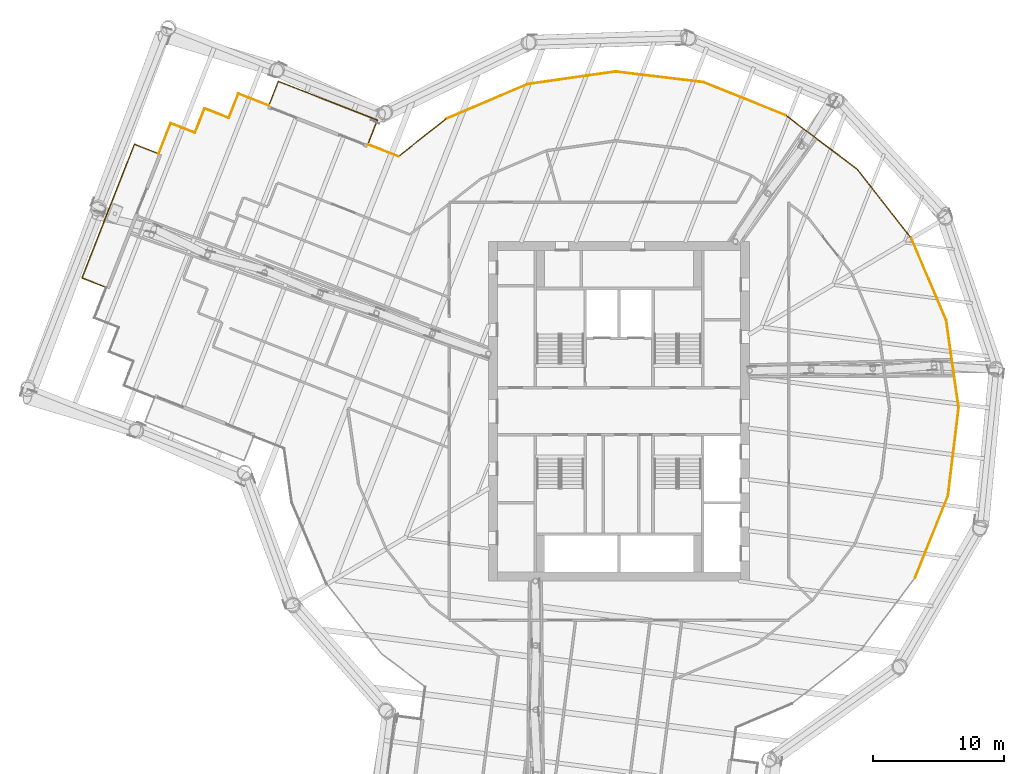
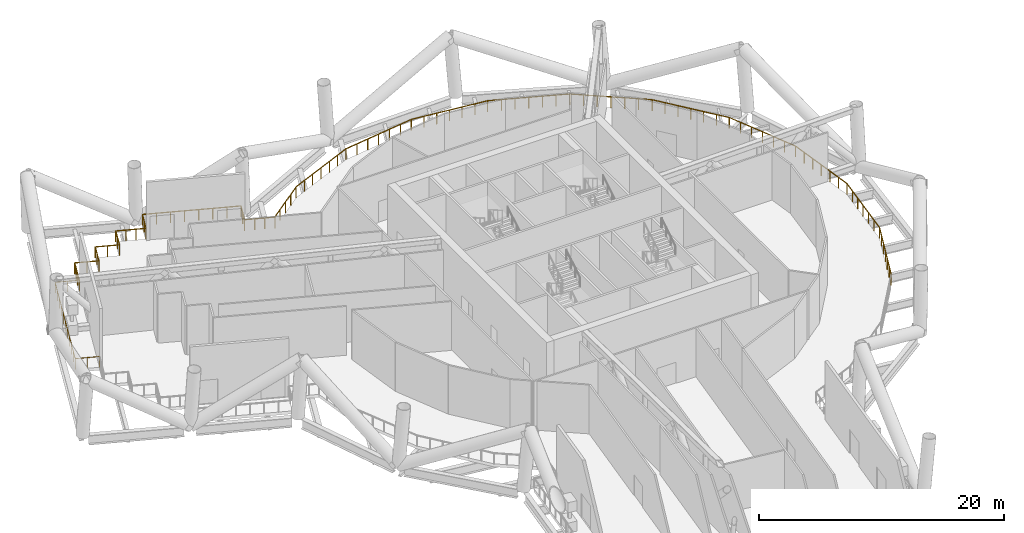
# One storey, part 35 of 36: 20 railings.
"""IFC4 building model written with IfcOpenShell, lengths in metres."""

from ifc_helpers import new_model, si_unit, direction, frame, origin, origin_2d, place, context, subcontext, project, spatial, circle, extrude, material, type_object, element, save


model = new_model("IFC4")

# Units and contexts
model_context = context("Model", 3, precision=1e-05, world=origin(), true_north=direction((0.0, 1.0)))
body_context = subcontext(model_context, "Body", "Model", "MODEL_VIEW")
ifc_project = project(units=[si_unit("LENGTHUNIT", "METRE"), si_unit("AREAUNIT", "SQUARE_METRE"), si_unit("VOLUMEUNIT", "CUBIC_METRE"), si_unit("PLANEANGLEUNIT", "RADIAN"), si_unit("MASSUNIT", "GRAM", prefix="KILO")], contexts=[model_context])

# Site, building, storey
site_placement = place(None, origin())
site = spatial("IfcSite", under=ifc_project, at=site_placement, CompositionType="ELEMENT")
building_placement = place(site_placement, origin())
building = spatial("IfcBuilding", under=site, at=building_placement, Name="Tarsis Ring Headquarters", CompositionType="ELEMENT")
storey_placement = place(building_placement, frame((0.0, 0.0, 194.39990234375)))
storey = spatial("IfcBuildingStorey", under=building, at=storey_placement, Name="L45", CompositionType="ELEMENT", Elevation=194.39990234375)

# Railings
ifc_material = material(Name="Stainless steel guard", Category="steel")
railing_type_1 = type_object("IfcRailingType", Name="Balcony balustrade with mesh infill 1100", PredefinedType="BALUSTRADE", material=ifc_material)
railing_1_placement = place(storey_placement, frame((-19.222412109375, 20.421875, 0.0)))
element("IfcRailing", 1, at=railing_1_placement, inside=storey, type_object=railing_type_1, Name="Balcony balustrade L45-31", PredefinedType="BALUSTRADE", context=body_context, shape_type="SweptSolid", body=[
    extrude(circle(Radius=0.030029296875, at=origin_2d()), frame((0.0, 0.0, 1.070068359375), z_axis=(0.364877989045, 0.931055343742, 0.0), x_axis=(-0.931055343742, 0.364877989045, 0.0)), (0.0, 0.0, 1.0), 2.0),
    extrude(circle(Radius=0.030029296875, at=origin_2d()), frame((0.729736328125, 1.862060546875, 1.070068359375), z_axis=(-0.931060599928, 0.364864576605, 0.0), x_axis=(-0.364864576605, -0.931060599928, 0.0)), (0.0, 0.0, 1.0), 8.1513671875),
    extrude(circle(Radius=0.030029296875, at=origin_2d()), frame((-6.859619140625, 4.836181640625, 1.070068359375), z_axis=(-0.364877989045, -0.931055343742, 0.0), x_axis=(0.931055343742, -0.364877989045, 0.0)), (0.0, 0.0, 1.0), 2.0),
    extrude(circle(Radius=0.02490234375, at=origin_2d()), origin(), (0.0, 0.0, 1.0), 1.0400390625),
    extrude(circle(Radius=0.02490234375, at=origin_2d()), frame((0.36474609375, 0.93115234375, 0.0)), (0.0, 0.0, 1.0), 1.0400390625),
    extrude(circle(Radius=0.02490234375, at=origin_2d()), frame((0.729736328125, 1.862060546875, 0.0)), (0.0, 0.0, 1.0), 1.0400390625),
    extrude(circle(Radius=0.02490234375, at=origin_2d()), frame((-0.3544921875, 2.286865234375, 0.0)), (0.0, 0.0, 1.0), 1.0400390625),
    extrude(circle(Radius=0.02490234375, at=origin_2d()), frame((-1.438720703125, 2.7119140625, 0.0)), (0.0, 0.0, 1.0), 1.0400390625),
    extrude(circle(Radius=0.02490234375, at=origin_2d()), frame((-2.52294921875, 3.13671875, 0.0)), (0.0, 0.0, 1.0), 1.0400390625),
    extrude(circle(Radius=0.02490234375, at=origin_2d()), frame((-3.60693359375, 3.5615234375, 0.0)), (0.0, 0.0, 1.0), 1.0400390625),
    extrude(circle(Radius=0.02490234375, at=origin_2d()), frame((-4.691162109375, 3.986328125, 0.0)), (0.0, 0.0, 1.0), 1.0400390625),
    extrude(circle(Radius=0.02490234375, at=origin_2d()), frame((-5.775390625, 4.411376953125, 0.0)), (0.0, 0.0, 1.0), 1.0400390625),
    extrude(circle(Radius=0.02490234375, at=origin_2d()), frame((-6.859619140625, 4.836181640625, 0.0)), (0.0, 0.0, 1.0), 1.0400390625),
    extrude(circle(Radius=0.02490234375, at=origin_2d()), frame((-7.224609375, 3.9052734375, 0.0)), (0.0, 0.0, 1.0), 1.0400390625),
    extrude(circle(Radius=0.02490234375, at=origin_2d()), frame((-7.58935546875, 2.97412109375, 0.0)), (0.0, 0.0, 1.0), 1.0400390625),
])
railing_2_placement = place(storey_placement, frame((-35.2353515625, 19.7158203125, 0.0)))
element("IfcRailing", 2, at=railing_2_placement, inside=storey, type_object=railing_type_1, Name="Balcony balustrade L45-36", PredefinedType="BALUSTRADE", context=body_context, shape_type="SweptSolid", body=[
    extrude(circle(Radius=0.030029296875, at=origin_2d()), frame((0.0, 0.0, 1.070068359375), z_axis=(-0.931055343742, 0.364877989045, 0.0), x_axis=(-0.364877989045, -0.931055343742, 0.0)), (0.0, 0.0, 1.0), 2.0),
    extrude(circle(Radius=0.030029296875, at=origin_2d()), frame((-1.862060546875, 0.729736328125, 1.070068359375), z_axis=(-0.36488383897, -0.931053051152, 0.0), x_axis=(0.931053051152, -0.36488383897, 0.0)), (0.0, 0.0, 1.0), 10.999755859375),
    extrude(circle(Radius=0.030029296875, at=origin_2d()), frame((-5.875732421875, -9.51171875, 1.070068359375), z_axis=(0.931055343742, -0.364877989045, 0.0), x_axis=(0.364877989045, 0.931055343742, 0.0)), (0.0, 0.0, 1.0), 2.0),
    extrude(circle(Radius=0.02490234375, at=origin_2d()), origin(), (0.0, 0.0, 1.0), 1.0400390625),
    extrude(circle(Radius=0.02490234375, at=origin_2d()), frame((-0.93115234375, 0.36474609375, 0.0)), (0.0, 0.0, 1.0), 1.0400390625),
    extrude(circle(Radius=0.02490234375, at=origin_2d()), frame((-1.862060546875, 0.729736328125, 0.0)), (0.0, 0.0, 1.0), 1.0400390625),
    extrude(circle(Radius=0.02490234375, at=origin_2d()), frame((-2.263427734375, -0.29443359375, 0.0)), (0.0, 0.0, 1.0), 1.0400390625),
    extrude(circle(Radius=0.02490234375, at=origin_2d()), frame((-2.664794921875, -1.318603515625, 0.0)), (0.0, 0.0, 1.0), 1.0400390625),
    extrude(circle(Radius=0.02490234375, at=origin_2d()), frame((-3.066162109375, -2.3427734375, 0.0)), (0.0, 0.0, 1.0), 1.0400390625),
    extrude(circle(Radius=0.02490234375, at=origin_2d()), frame((-3.467529296875, -3.366943359375, 0.0)), (0.0, 0.0, 1.0), 1.0400390625),
    extrude(circle(Radius=0.02490234375, at=origin_2d()), frame((-3.868896484375, -4.39111328125, 0.0)), (0.0, 0.0, 1.0), 1.0400390625),
    extrude(circle(Radius=0.02490234375, at=origin_2d()), frame((-4.270263671875, -5.4150390625, 0.0)), (0.0, 0.0, 1.0), 1.0400390625),
    extrude(circle(Radius=0.02490234375, at=origin_2d()), frame((-4.671630859375, -6.439208984375, 0.0)), (0.0, 0.0, 1.0), 1.0400390625),
    extrude(circle(Radius=0.02490234375, at=origin_2d()), frame((-5.072998046875, -7.46337890625, 0.0)), (0.0, 0.0, 1.0), 1.0400390625),
    extrude(circle(Radius=0.02490234375, at=origin_2d()), frame((-5.474365234375, -8.487548828125, 0.0)), (0.0, 0.0, 1.0), 1.0400390625),
    extrude(circle(Radius=0.02490234375, at=origin_2d()), frame((-5.875732421875, -9.51171875, 0.0)), (0.0, 0.0, 1.0), 1.0400390625),
    extrude(circle(Radius=0.02490234375, at=origin_2d()), frame((-4.94482421875, -9.87646484375, 0.0)), (0.0, 0.0, 1.0), 1.0400390625),
    extrude(circle(Radius=0.02490234375, at=origin_2d()), frame((-4.013671875, -10.241455078125, 0.0)), (0.0, 0.0, 1.0), 1.0400390625),
])
railing_type_2 = type_object("IfcRailingType", Name="Guard rail with mesh infill 1100", PredefinedType="GUARDRAIL", material=ifc_material)
railing_3_placement = place(storey_placement, frame((22.651611328125, -12.763427734375, 0.0)))
element("IfcRailing", 3, at=railing_3_placement, inside=storey, type_object=railing_type_2, Name="Guard L45-20", PredefinedType="GUARDRAIL", context=body_context, shape_type="SweptSolid", body=[
    extrude(circle(Radius=0.030029296875, at=origin_2d()), frame((0.0, 0.0, 1.070068359375), z_axis=(0.372971571531, 0.927842770533, 0.0), x_axis=(-0.927842770533, 0.372971571531, 0.0)), (0.0, 0.0, 1.0), 6.787353515625),
    extrude(circle(Radius=0.02490234375, at=origin_2d()), origin(), (0.0, 0.0, 1.0), 1.0400390625),
    extrude(circle(Radius=0.02490234375, at=origin_2d()), frame((0.421875, 1.049560546875, 0.0)), (0.0, 0.0, 1.0), 1.0400390625),
    extrude(circle(Radius=0.02490234375, at=origin_2d()), frame((0.84375, 2.09912109375, 0.0)), (0.0, 0.0, 1.0), 1.0400390625),
    extrude(circle(Radius=0.02490234375, at=origin_2d()), frame((1.265625, 3.14892578125, 0.0)), (0.0, 0.0, 1.0), 1.0400390625),
    extrude(circle(Radius=0.02490234375, at=origin_2d()), frame((1.687744140625, 4.198486328125, 0.0)), (0.0, 0.0, 1.0), 1.0400390625),
    extrude(circle(Radius=0.02490234375, at=origin_2d()), frame((2.109619140625, 5.248046875, 0.0)), (0.0, 0.0, 1.0), 1.0400390625),
    extrude(circle(Radius=0.02490234375, at=origin_2d()), frame((2.531494140625, 6.297607421875, 0.0)), (0.0, 0.0, 1.0), 1.0400390625),
])
railing_4_placement = place(storey_placement, frame((25.18310546875, -6.4658203125, 0.0)))
element("IfcRailing", 4, at=railing_4_placement, inside=storey, type_object=railing_type_2, Name="Guard L45-21", PredefinedType="GUARDRAIL", context=body_context, shape_type="SweptSolid", body=[
    extrude(circle(Radius=0.030029296875, at=origin_2d()), frame((0.0, 0.0, 1.070068359375), z_axis=(0.120142299178, 0.99275668114, 0.0), x_axis=(-0.99275668114, 0.120142299178, 0.0)), (0.0, 0.0, 1.0), 6.787109375),
    extrude(circle(Radius=0.02490234375, at=origin_2d()), origin(), (0.0, 0.0, 1.0), 1.0400390625),
    extrude(circle(Radius=0.02490234375, at=origin_2d()), frame((0.135986328125, 1.123046875, 0.0)), (0.0, 0.0, 1.0), 1.0400390625),
    extrude(circle(Radius=0.02490234375, at=origin_2d()), frame((0.271728515625, 2.24609375, 0.0)), (0.0, 0.0, 1.0), 1.0400390625),
    extrude(circle(Radius=0.02490234375, at=origin_2d()), frame((0.40771484375, 3.369140625, 0.0)), (0.0, 0.0, 1.0), 1.0400390625),
    extrude(circle(Radius=0.02490234375, at=origin_2d()), frame((0.543701171875, 4.491943359375, 0.0)), (0.0, 0.0, 1.0), 1.0400390625),
    extrude(circle(Radius=0.02490234375, at=origin_2d()), frame((0.679443359375, 5.614990234375, 0.0)), (0.0, 0.0, 1.0), 1.0400390625),
    extrude(circle(Radius=0.02490234375, at=origin_2d()), frame((0.8154296875, 6.738037109375, 0.0)), (0.0, 0.0, 1.0), 1.0400390625),
])
railing_5_placement = place(storey_placement, frame((25.99853515625, 0.272216796875, 0.0)))
element("IfcRailing", 5, at=railing_5_placement, inside=storey, type_object=railing_type_2, Name="Guard L45-22", PredefinedType="GUARDRAIL", context=body_context, shape_type="SweptSolid", body=[
    extrude(circle(Radius=0.030029296875, at=origin_2d()), frame((0.0, 0.0, 1.070068359375), z_axis=(-0.140892584217, 0.990024888431, 0.0), x_axis=(-0.990024888431, -0.140892584217, 0.0)), (0.0, 0.0, 1.0), 6.787353515625),
    extrude(circle(Radius=0.02490234375, at=origin_2d()), origin(), (0.0, 0.0, 1.0), 1.0400390625),
    extrude(circle(Radius=0.02490234375, at=origin_2d()), frame((-0.159423828125, 1.119873046875, 0.0)), (0.0, 0.0, 1.0), 1.0400390625),
    extrude(circle(Radius=0.02490234375, at=origin_2d()), frame((-0.31884765625, 2.239990234375, 0.0)), (0.0, 0.0, 1.0), 1.0400390625),
    extrude(circle(Radius=0.02490234375, at=origin_2d()), frame((-0.47802734375, 3.35986328125, 0.0)), (0.0, 0.0, 1.0), 1.0400390625),
    extrude(circle(Radius=0.02490234375, at=origin_2d()), frame((-0.637451171875, 4.479736328125, 0.0)), (0.0, 0.0, 1.0), 1.0400390625),
    extrude(circle(Radius=0.02490234375, at=origin_2d()), frame((-0.796875, 5.599853515625, 0.0)), (0.0, 0.0, 1.0), 1.0400390625),
    extrude(circle(Radius=0.02490234375, at=origin_2d()), frame((-0.956298828125, 6.7197265625, 0.0)), (0.0, 0.0, 1.0), 1.0400390625),
])
railing_6_placement = place(storey_placement, frame((25.042236328125, 6.991943359375, 0.0)))
element("IfcRailing", 6, at=railing_6_placement, inside=storey, type_object=railing_type_2, Name="Guard L45-23", PredefinedType="GUARDRAIL", context=body_context, shape_type="SweptSolid", body=[
    extrude(circle(Radius=0.030029296875, at=origin_2d()), frame((0.0, 0.0, 1.070068359375), z_axis=(-0.392325481057, 0.919826460216, 0.0), x_axis=(-0.919826460216, -0.392325481057, 0.0)), (0.0, 0.0, 1.0), 6.787353515625),
    extrude(circle(Radius=0.02490234375, at=origin_2d()), origin(), (0.0, 0.0, 1.0), 1.0400390625),
    extrude(circle(Radius=0.02490234375, at=origin_2d()), frame((-0.44384765625, 1.04052734375, 0.0)), (0.0, 0.0, 1.0), 1.0400390625),
    extrude(circle(Radius=0.02490234375, at=origin_2d()), frame((-0.8876953125, 2.0810546875, 0.0)), (0.0, 0.0, 1.0), 1.0400390625),
    extrude(circle(Radius=0.02490234375, at=origin_2d()), frame((-1.33154296875, 3.12158203125, 0.0)), (0.0, 0.0, 1.0), 1.0400390625),
    extrude(circle(Radius=0.02490234375, at=origin_2d()), frame((-1.775146484375, 4.162109375, 0.0)), (0.0, 0.0, 1.0), 1.0400390625),
    extrude(circle(Radius=0.02490234375, at=origin_2d()), frame((-2.218994140625, 5.20263671875, 0.0)), (0.0, 0.0, 1.0), 1.0400390625),
    extrude(circle(Radius=0.02490234375, at=origin_2d()), frame((-2.662841796875, 6.2431640625, 0.0)), (0.0, 0.0, 1.0), 1.0400390625),
])
railing_7_placement = place(storey_placement, frame((22.37939453125, 13.235107421875, 0.0)))
element("IfcRailing", 7, at=railing_7_placement, inside=storey, type_object=railing_type_2, Name="Guard L45-24", PredefinedType="GUARDRAIL", context=body_context, shape_type="SweptSolid", body=[
    extrude(circle(Radius=0.030029296875, at=origin_2d()), frame((0.0, 0.0, 1.070068359375), z_axis=(-0.617063514443, 0.786913349196, 0.0), x_axis=(-0.786913349196, -0.617063514443, 0.0)), (0.0, 0.0, 1.0), 6.787353515625),
    extrude(circle(Radius=0.02490234375, at=origin_2d()), origin(), (0.0, 0.0, 1.0), 1.0400390625),
    extrude(circle(Radius=0.02490234375, at=origin_2d()), frame((-0.697998046875, 0.89013671875, 0.0)), (0.0, 0.0, 1.0), 1.0400390625),
    extrude(circle(Radius=0.02490234375, at=origin_2d()), frame((-1.39599609375, 1.7802734375, 0.0)), (0.0, 0.0, 1.0), 1.0400390625),
    extrude(circle(Radius=0.02490234375, at=origin_2d()), frame((-2.09423828125, 2.67041015625, 0.0)), (0.0, 0.0, 1.0), 1.0400390625),
    extrude(circle(Radius=0.02490234375, at=origin_2d()), frame((-2.792236328125, 3.560791015625, 0.0)), (0.0, 0.0, 1.0), 1.0400390625),
    extrude(circle(Radius=0.02490234375, at=origin_2d()), frame((-3.490234375, 4.450927734375, 0.0)), (0.0, 0.0, 1.0), 1.0400390625),
    extrude(circle(Radius=0.02490234375, at=origin_2d()), frame((-4.188232421875, 5.341064453125, 0.0)), (0.0, 0.0, 1.0), 1.0400390625),
])
railing_8_placement = place(storey_placement, frame((18.191162109375, 18.576171875, 0.0)))
element("IfcRailing", 8, at=railing_8_placement, inside=storey, type_object=railing_type_2, Name="Guard L45-25", PredefinedType="GUARDRAIL", context=body_context, shape_type="SweptSolid", body=[
    extrude(circle(Radius=0.030029296875, at=origin_2d()), frame((0.0, 0.0, 1.070068359375), z_axis=(-0.799671839447, 0.600437298304, 0.0), x_axis=(-0.600437298304, -0.799671839447, 0.0)), (0.0, 0.0, 1.0), 6.787353515625),
    extrude(circle(Radius=0.02490234375, at=origin_2d()), origin(), (0.0, 0.0, 1.0), 1.0400390625),
    extrude(circle(Radius=0.02490234375, at=origin_2d()), frame((-0.904541015625, 0.67919921875, 0.0)), (0.0, 0.0, 1.0), 1.0400390625),
    extrude(circle(Radius=0.02490234375, at=origin_2d()), frame((-1.809326171875, 1.3583984375, 0.0)), (0.0, 0.0, 1.0), 1.0400390625),
    extrude(circle(Radius=0.02490234375, at=origin_2d()), frame((-2.7138671875, 2.03759765625, 0.0)), (0.0, 0.0, 1.0), 1.0400390625),
    extrude(circle(Radius=0.02490234375, at=origin_2d()), frame((-3.618408203125, 2.717041015625, 0.0)), (0.0, 0.0, 1.0), 1.0400390625),
    extrude(circle(Radius=0.02490234375, at=origin_2d()), frame((-4.523193359375, 3.396240234375, 0.0)), (0.0, 0.0, 1.0), 1.0400390625),
    extrude(circle(Radius=0.02490234375, at=origin_2d()), frame((-5.427734375, 4.075439453125, 0.0)), (0.0, 0.0, 1.0), 1.0400390625),
])
railing_9_placement = place(storey_placement, frame((12.763427734375, 22.651611328125, 0.0)))
element("IfcRailing", 9, at=railing_9_placement, inside=storey, type_object=railing_type_2, Name="Guard L45-26", PredefinedType="GUARDRAIL", context=body_context, shape_type="SweptSolid", body=[
    extrude(circle(Radius=0.030029296875, at=origin_2d()), frame((0.0, 0.0, 1.070068359375), z_axis=(-0.927842770533, 0.372971571531, 0.0), x_axis=(-0.372971571531, -0.927842770533, 0.0)), (0.0, 0.0, 1.0), 6.787353515625),
    extrude(circle(Radius=0.02490234375, at=origin_2d()), origin(), (0.0, 0.0, 1.0), 1.0400390625),
    extrude(circle(Radius=0.02490234375, at=origin_2d()), frame((-1.049560546875, 0.421875, 0.0)), (0.0, 0.0, 1.0), 1.0400390625),
    extrude(circle(Radius=0.02490234375, at=origin_2d()), frame((-2.09912109375, 0.84375, 0.0)), (0.0, 0.0, 1.0), 1.0400390625),
    extrude(circle(Radius=0.02490234375, at=origin_2d()), frame((-3.14892578125, 1.265625, 0.0)), (0.0, 0.0, 1.0), 1.0400390625),
    extrude(circle(Radius=0.02490234375, at=origin_2d()), frame((-4.198486328125, 1.687744140625, 0.0)), (0.0, 0.0, 1.0), 1.0400390625),
    extrude(circle(Radius=0.02490234375, at=origin_2d()), frame((-5.248046875, 2.109619140625, 0.0)), (0.0, 0.0, 1.0), 1.0400390625),
    extrude(circle(Radius=0.02490234375, at=origin_2d()), frame((-6.297607421875, 2.531494140625, 0.0)), (0.0, 0.0, 1.0), 1.0400390625),
])
railing_10_placement = place(storey_placement, frame((6.4658203125, 25.18310546875, 0.0)))
element("IfcRailing", 10, at=railing_10_placement, inside=storey, type_object=railing_type_2, Name="Guard L45-27", PredefinedType="GUARDRAIL", context=body_context, shape_type="SweptSolid", body=[
    extrude(circle(Radius=0.030029296875, at=origin_2d()), frame((0.0, 0.0, 1.070068359375), z_axis=(-0.99275668114, 0.120142299178, 0.0), x_axis=(-0.120142299178, -0.99275668114, 0.0)), (0.0, 0.0, 1.0), 6.787109375),
    extrude(circle(Radius=0.02490234375, at=origin_2d()), origin(), (0.0, 0.0, 1.0), 1.0400390625),
    extrude(circle(Radius=0.02490234375, at=origin_2d()), frame((-1.123046875, 0.135986328125, 0.0)), (0.0, 0.0, 1.0), 1.0400390625),
    extrude(circle(Radius=0.02490234375, at=origin_2d()), frame((-2.24609375, 0.271728515625, 0.0)), (0.0, 0.0, 1.0), 1.0400390625),
    extrude(circle(Radius=0.02490234375, at=origin_2d()), frame((-3.369140625, 0.40771484375, 0.0)), (0.0, 0.0, 1.0), 1.0400390625),
    extrude(circle(Radius=0.02490234375, at=origin_2d()), frame((-4.491943359375, 0.543701171875, 0.0)), (0.0, 0.0, 1.0), 1.0400390625),
    extrude(circle(Radius=0.02490234375, at=origin_2d()), frame((-5.614990234375, 0.679443359375, 0.0)), (0.0, 0.0, 1.0), 1.0400390625),
    extrude(circle(Radius=0.02490234375, at=origin_2d()), frame((-6.738037109375, 0.8154296875, 0.0)), (0.0, 0.0, 1.0), 1.0400390625),
])
railing_11_placement = place(storey_placement, frame((-0.272216796875, 25.99853515625, 0.0)))
element("IfcRailing", 11, at=railing_11_placement, inside=storey, type_object=railing_type_2, Name="Guard L45-28", PredefinedType="GUARDRAIL", context=body_context, shape_type="SweptSolid", body=[
    extrude(circle(Radius=0.030029296875, at=origin_2d()), frame((0.0, 0.0, 1.070068359375), z_axis=(-0.990024888431, -0.140892584217, 0.0), x_axis=(0.140892584217, -0.990024888431, 0.0)), (0.0, 0.0, 1.0), 6.787353515625),
    extrude(circle(Radius=0.02490234375, at=origin_2d()), origin(), (0.0, 0.0, 1.0), 1.0400390625),
    extrude(circle(Radius=0.02490234375, at=origin_2d()), frame((-1.119873046875, -0.159423828125, 0.0)), (0.0, 0.0, 1.0), 1.0400390625),
    extrude(circle(Radius=0.02490234375, at=origin_2d()), frame((-2.239990234375, -0.31884765625, 0.0)), (0.0, 0.0, 1.0), 1.0400390625),
    extrude(circle(Radius=0.02490234375, at=origin_2d()), frame((-3.35986328125, -0.47802734375, 0.0)), (0.0, 0.0, 1.0), 1.0400390625),
    extrude(circle(Radius=0.02490234375, at=origin_2d()), frame((-4.479736328125, -0.637451171875, 0.0)), (0.0, 0.0, 1.0), 1.0400390625),
    extrude(circle(Radius=0.02490234375, at=origin_2d()), frame((-5.599853515625, -0.796875, 0.0)), (0.0, 0.0, 1.0), 1.0400390625),
    extrude(circle(Radius=0.02490234375, at=origin_2d()), frame((-6.7197265625, -0.956298828125, 0.0)), (0.0, 0.0, 1.0), 1.0400390625),
])
railing_12_placement = place(storey_placement, frame((-6.991943359375, 25.042236328125, 0.0)))
element("IfcRailing", 12, at=railing_12_placement, inside=storey, type_object=railing_type_2, Name="Guard L45-29", PredefinedType="GUARDRAIL", context=body_context, shape_type="SweptSolid", body=[
    extrude(circle(Radius=0.030029296875, at=origin_2d()), frame((0.0, 0.0, 1.070068359375), z_axis=(-0.919826460216, -0.392325481057, 0.0), x_axis=(0.392325481057, -0.919826460216, 0.0)), (0.0, 0.0, 1.0), 6.787353515625),
    extrude(circle(Radius=0.02490234375, at=origin_2d()), origin(), (0.0, 0.0, 1.0), 1.0400390625),
    extrude(circle(Radius=0.02490234375, at=origin_2d()), frame((-1.04052734375, -0.44384765625, 0.0)), (0.0, 0.0, 1.0), 1.0400390625),
    extrude(circle(Radius=0.02490234375, at=origin_2d()), frame((-2.0810546875, -0.8876953125, 0.0)), (0.0, 0.0, 1.0), 1.0400390625),
    extrude(circle(Radius=0.02490234375, at=origin_2d()), frame((-3.12158203125, -1.33154296875, 0.0)), (0.0, 0.0, 1.0), 1.0400390625),
    extrude(circle(Radius=0.02490234375, at=origin_2d()), frame((-4.162109375, -1.775146484375, 0.0)), (0.0, 0.0, 1.0), 1.0400390625),
    extrude(circle(Radius=0.02490234375, at=origin_2d()), frame((-5.20263671875, -2.218994140625, 0.0)), (0.0, 0.0, 1.0), 1.0400390625),
    extrude(circle(Radius=0.02490234375, at=origin_2d()), frame((-6.2431640625, -2.662841796875, 0.0)), (0.0, 0.0, 1.0), 1.0400390625),
])
railing_13_placement = place(storey_placement, frame((-13.235107421875, 22.37939453125, 0.0)))
element("IfcRailing", 13, at=railing_13_placement, inside=storey, type_object=railing_type_2, Name="Guard L45-30", PredefinedType="GUARDRAIL", context=body_context, shape_type="SweptSolid", body=[
    extrude(circle(Radius=0.030029296875, at=origin_2d()), frame((0.0, 0.0, 1.070068359375), z_axis=(-0.786900899248, -0.617079390972, 0.0), x_axis=(0.617079390972, -0.786900899248, 0.0)), (0.0, 0.0, 1.0), 4.650634765625),
    extrude(circle(Radius=0.02490234375, at=origin_2d()), origin(), (0.0, 0.0, 1.0), 1.0400390625),
    extrude(circle(Radius=0.02490234375, at=origin_2d()), frame((-0.9150390625, -0.717529296875, 0.0)), (0.0, 0.0, 1.0), 1.0400390625),
    extrude(circle(Radius=0.02490234375, at=origin_2d()), frame((-1.829833984375, -1.43505859375, 0.0)), (0.0, 0.0, 1.0), 1.0400390625),
    extrude(circle(Radius=0.02490234375, at=origin_2d()), frame((-2.74462890625, -2.15234375, 0.0)), (0.0, 0.0, 1.0), 1.0400390625),
    extrude(circle(Radius=0.02490234375, at=origin_2d()), frame((-3.65966796875, -2.869873046875, 0.0)), (0.0, 0.0, 1.0), 1.0400390625),
])
for number, where, name in (
    (14, (-16.894775390625, 19.509521484375, 0.0), "Guard L45-31a"),
    (15, (-26.811767578125, 23.39599609375, 0.0), "Guard L45-31b"),
):
    element("IfcRailing", number, at=place(storey_placement, frame(where)), inside=storey, type_object=railing_type_2, Name=name, PredefinedType="GUARDRAIL", context=body_context, shape_type="SweptSolid", body=[
        extrude(circle(Radius=0.030029296875, at=origin_2d()), frame((0.0, 0.0, 1.070068359375), z_axis=(-0.931033711029, 0.364933184195, 0.0), x_axis=(-0.364933184195, -0.931033711029, 0.0)), (0.0, 0.0, 1.0), 2.5),
        extrude(circle(Radius=0.02490234375, at=origin_2d()), origin(), (0.0, 0.0, 1.0), 1.0400390625),
        extrude(circle(Radius=0.02490234375, at=origin_2d()), frame((-0.77587890625, 0.30419921875, 0.0)), (0.0, 0.0, 1.0), 1.0400390625),
        extrude(circle(Radius=0.02490234375, at=origin_2d()), frame((-1.5517578125, 0.608154296875, 0.0)), (0.0, 0.0, 1.0), 1.0400390625),
        extrude(circle(Radius=0.02490234375, at=origin_2d()), frame((-2.32763671875, 0.912353515625, 0.0)), (0.0, 0.0, 1.0), 1.0400390625),
    ])
railing_14_placement = place(storey_placement, frame((-29.139404296875, 24.308349609375, 0.0)))
element("IfcRailing", 16, at=railing_14_placement, inside=storey, type_object=railing_type_2, Name="Guard L45-32", PredefinedType="GUARDRAIL", context=body_context, shape_type="SweptSolid", body=[
    extrude(circle(Radius=0.030029296875, at=origin_2d()), frame((0.0, 0.0, 1.070068359375), z_axis=(-0.364836522357, -0.931071593356, 0.0), x_axis=(0.931071593356, -0.364836522357, 0.0)), (0.0, 0.0, 1.0), 2.000244140625),
    extrude(circle(Radius=0.02490234375, at=origin_2d()), origin(), (0.0, 0.0, 1.0), 1.0400390625),
    extrude(circle(Radius=0.02490234375, at=origin_2d()), frame((-0.36474609375, -0.93115234375, 0.0)), (0.0, 0.0, 1.0), 1.0400390625),
    extrude(circle(Radius=0.02490234375, at=origin_2d()), frame((-0.729736328125, -1.8623046875, 0.0)), (0.0, 0.0, 1.0), 1.0400390625),
])
railing_15_placement = place(storey_placement, frame((-29.869140625, 22.446044921875, 0.0)))
element("IfcRailing", 17, at=railing_15_placement, inside=storey, type_object=railing_type_2, Name="Guard L45-33", PredefinedType="GUARDRAIL", context=body_context, shape_type="SweptSolid", body=[
    extrude(circle(Radius=0.030029296875, at=origin_2d()), frame((0.0, 0.0, 1.070068359375), z_axis=(-0.931071593356, 0.364836522357, 0.0), x_axis=(-0.364836522357, -0.931071593356, 0.0)), (0.0, 0.0, 1.0), 2.000244140625),
    extrude(circle(Radius=0.02490234375, at=origin_2d()), origin(), (0.0, 0.0, 1.0), 1.0400390625),
    extrude(circle(Radius=0.02490234375, at=origin_2d()), frame((-0.93115234375, 0.36474609375, 0.0)), (0.0, 0.0, 1.0), 1.0400390625),
    extrude(circle(Radius=0.02490234375, at=origin_2d()), frame((-1.8623046875, 0.729736328125, 0.0)), (0.0, 0.0, 1.0), 1.0400390625),
])
railing_16_placement = place(storey_placement, frame((-31.7314453125, 23.17578125, 0.0)))
element("IfcRailing", 18, at=railing_16_placement, inside=storey, type_object=railing_type_2, Name="Guard L45-34", PredefinedType="GUARDRAIL", context=body_context, shape_type="SweptSolid", body=[
    extrude(circle(Radius=0.030029296875, at=origin_2d()), frame((0.0, 0.0, 1.070068359375), z_axis=(-0.364877989045, -0.931055343742, 0.0), x_axis=(0.931055343742, -0.364877989045, 0.0)), (0.0, 0.0, 1.0), 2.0),
    extrude(circle(Radius=0.02490234375, at=origin_2d()), origin(), (0.0, 0.0, 1.0), 1.0400390625),
    extrude(circle(Radius=0.02490234375, at=origin_2d()), frame((-0.36474609375, -0.93115234375, 0.0)), (0.0, 0.0, 1.0), 1.0400390625),
    extrude(circle(Radius=0.02490234375, at=origin_2d()), frame((-0.729736328125, -1.862060546875, 0.0)), (0.0, 0.0, 1.0), 1.0400390625),
])
railing_17_placement = place(storey_placement, frame((-32.461181640625, 21.313720703125, 0.0)))
element("IfcRailing", 19, at=railing_17_placement, inside=storey, type_object=railing_type_2, Name="Guard L45-35", PredefinedType="GUARDRAIL", context=body_context, shape_type="SweptSolid", body=[
    extrude(circle(Radius=0.030029296875, at=origin_2d()), frame((0.0, 0.0, 1.070068359375), z_axis=(-0.931055343742, 0.364877989045, 0.0), x_axis=(-0.364877989045, -0.931055343742, 0.0)), (0.0, 0.0, 1.0), 2.0),
    extrude(circle(Radius=0.02490234375, at=origin_2d()), origin(), (0.0, 0.0, 1.0), 1.0400390625),
    extrude(circle(Radius=0.02490234375, at=origin_2d()), frame((-0.93115234375, 0.36474609375, 0.0)), (0.0, 0.0, 1.0), 1.0400390625),
    extrude(circle(Radius=0.02490234375, at=origin_2d()), frame((-1.862060546875, 0.729736328125, 0.0)), (0.0, 0.0, 1.0), 1.0400390625),
])
railing_18_placement = place(storey_placement, frame((-34.3232421875, 22.04345703125, 0.0)))
element("IfcRailing", 20, at=railing_18_placement, inside=storey, type_object=railing_type_2, Name="Guard L45-36a", PredefinedType="GUARDRAIL", context=body_context, shape_type="SweptSolid", body=[
    extrude(circle(Radius=0.030029296875, at=origin_2d()), frame((0.0, 0.0, 1.070068359375), z_axis=(-0.364848530819, -0.931066887801, 0.0), x_axis=(0.931066887801, -0.364848530819, 0.0)), (0.0, 0.0, 1.0), 2.5),
    extrude(circle(Radius=0.02490234375, at=origin_2d()), origin(), (0.0, 0.0, 1.0), 1.0400390625),
    extrude(circle(Radius=0.02490234375, at=origin_2d()), frame((-0.303955078125, -0.77587890625, 0.0)), (0.0, 0.0, 1.0), 1.0400390625),
    extrude(circle(Radius=0.02490234375, at=origin_2d()), frame((-0.608154296875, -1.5517578125, 0.0)), (0.0, 0.0, 1.0), 1.0400390625),
    extrude(circle(Radius=0.02490234375, at=origin_2d()), frame((-0.912109375, -2.32763671875, 0.0)), (0.0, 0.0, 1.0), 1.0400390625),
])

save(model, "model.ifc")
